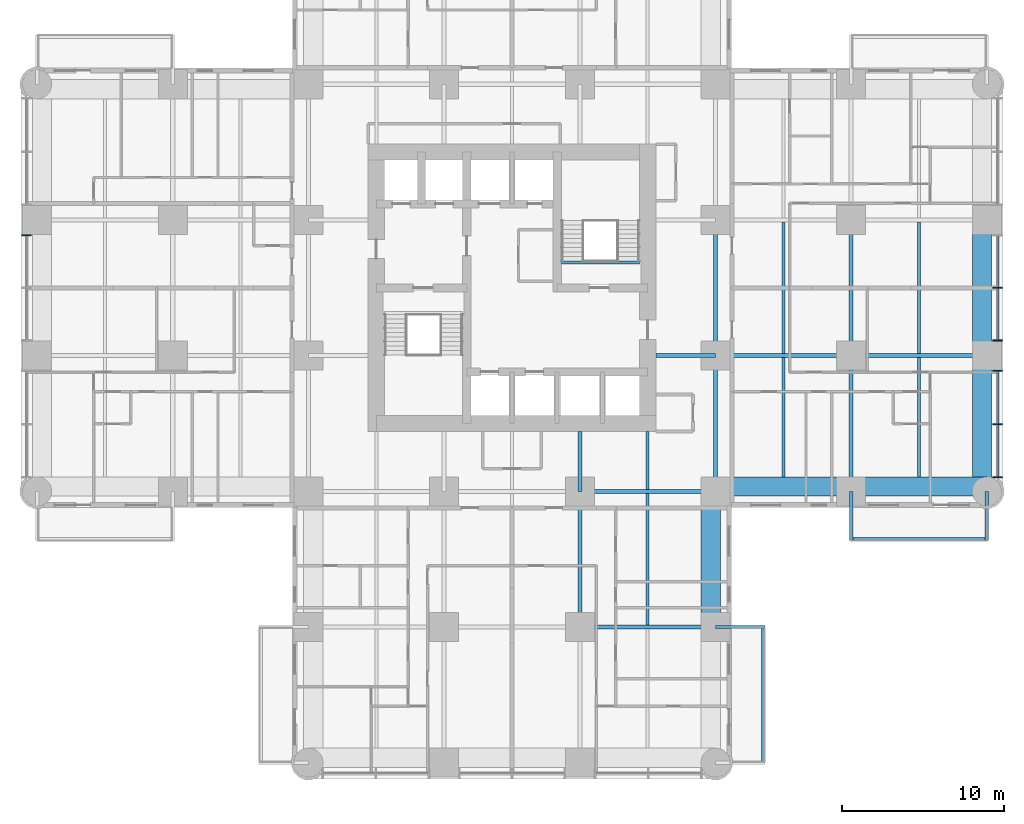
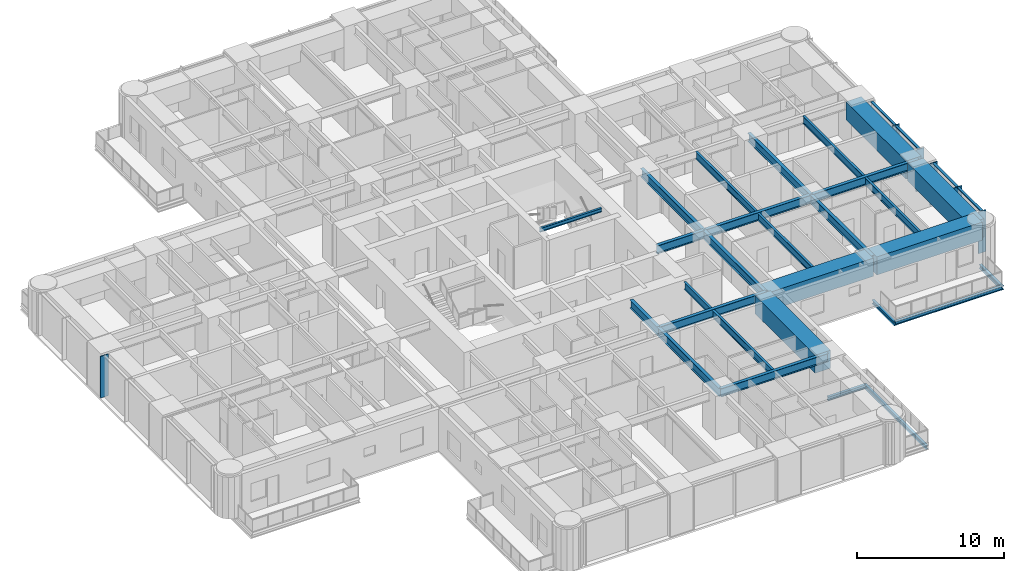
# One storey, part 3 of 17: 28 beams, 10 members, 2 elements without a shape of their own.
"""IFC4 building model written with IfcOpenShell, lengths in metres."""

from ifc_helpers import new_model, si_unit, direction, frame, origin, origin_2d, place, context, subcontext, project, spatial, rectangle, i_section, extrude, material, material_profile, profile_set, type_object, element, aggregate, save


model = new_model("IFC4")

# Units and contexts
model_context = context("Model", 3, precision=1e-05, world=origin(), true_north=direction((0.0, 1.0)))
body_context = subcontext(model_context, "Body", "Model", "MODEL_VIEW")
ifc_project = project(units=[si_unit("LENGTHUNIT", "METRE"), si_unit("AREAUNIT", "SQUARE_METRE"), si_unit("VOLUMEUNIT", "CUBIC_METRE"), si_unit("PLANEANGLEUNIT", "RADIAN"), si_unit("MASSUNIT", "GRAM", prefix="KILO")], contexts=[model_context])

# Site, building, storey
site_placement = place(None, origin())
site = spatial("IfcSite", under=ifc_project, at=site_placement, CompositionType="ELEMENT")
building_placement = place(site_placement, origin())
building = spatial("IfcBuilding", under=site, at=building_placement, Name="Torre Alcanfor", CompositionType="ELEMENT")
storey_placement = place(building_placement, frame((0.0, 0.0, 41.699951171875)))
storey = spatial("IfcBuildingStorey", under=building, at=storey_placement, Name="L09", CompositionType="ELEMENT", Elevation=41.699951171875)

# Beams
ifc_material_1 = material(Name="Steel ASTM A992 Grade 50", Category="steel")
ifc_material_profile_1 = material_profile(ifc_material_1, i_section(OverallWidth=0.205322265625, OverallDepth=0.309814453125, WebThickness=0.00927734375, FlangeThickness=0.016357421875, at=origin_2d()), Name="W12x50")
ifc_profile_set_1 = profile_set([ifc_material_profile_1], Name="Steel ASTM A992 Grade 50")
beam_type_1 = type_object("IfcBeamType", Name="Balcony cantilever beam W12x50", PredefinedType="BEAM", material=ifc_profile_set_1)
for number, where, z_axis, x_axis, name in (
    (1, (50.39990234375, 16.800048828125, -0.35498046875), (0.0, -1.0, 0.0), (1.0, 0.0, 0.0), "Balcony cantilever beam L09-E2 1"),
    (2, (58.800048828125, 16.800048828125, -0.35498046875), (0.0, -1.0, 0.0), (1.0, 0.0, 0.0), "Balcony cantilever beam L09-E2 2"),
    (3, (42.0, 8.39990234375, -0.35498046875), (1.0, 0.0, 0.0), (0.0, 1.0, 0.0), "Balcony cantilever beam L09-S1 1"),
):
    element("IfcBeam", number, at=place(storey_placement, frame(where, z_axis=z_axis, x_axis=x_axis)), inside=storey, type_object=beam_type_1, Name=name, PredefinedType="BEAM", context=body_context, shape_type="SweptSolid", body=[
        extrude(i_section(OverallWidth=0.205322265625, OverallDepth=0.309814453125, WebThickness=0.00927734375, FlangeThickness=0.016357421875, at=origin_2d()), origin(), (0.0, 0.0, 1.0), 3.050048828125),
    ])
ifc_material_2 = material(Name="Steel ASTM A992 Grade 50", Category="steel")
ifc_material_profile_2 = material_profile(ifc_material_2, i_section(OverallWidth=0.203369140625, OverallDepth=0.30224609375, WebThickness=0.007568359375, FlangeThickness=0.01318359375, at=origin_2d()), Name="W12x40")
ifc_profile_set_2 = profile_set([ifc_material_profile_2], Name="Steel ASTM A992 Grade 50")
beam_type_2 = type_object("IfcBeamType", Name="Balcony edge trimmer W12x40", PredefinedType="BEAM", material=ifc_profile_set_2)
beam_1_placement = place(storey_placement, frame((50.39990234375, 13.851806640625, -0.35107421875), z_axis=(1.0, 0.0, 0.0), x_axis=(0.0, 1.0, 0.0)))
element("IfcBeam", 4, at=beam_1_placement, inside=storey, type_object=beam_type_2, Name="Balcony edge trimmer L09-E2", PredefinedType="BEAM", context=body_context, shape_type="SweptSolid", body=[
    extrude(i_section(OverallWidth=0.203369140625, OverallDepth=0.30224609375, WebThickness=0.007568359375, FlangeThickness=0.01318359375, at=origin_2d()), origin(), (0.0, 0.0, 1.0), 8.400146484375),
])
beam_2_placement = place(storey_placement, frame((44.9482421875, 8.39990234375, -0.35107421875), z_axis=(0.0, -1.0, 0.0), x_axis=(1.0, 0.0, 0.0)))
element("IfcBeam", 5, at=beam_2_placement, inside=storey, type_object=beam_type_2, Name="Balcony edge trimmer L09-S1", PredefinedType="BEAM", context=body_context, shape_type="SweptSolid", body=[
    extrude(i_section(OverallWidth=0.203369140625, OverallDepth=0.30224609375, WebThickness=0.007568359375, FlangeThickness=0.01318359375, at=origin_2d()), origin(), (0.0, 0.0, 1.0), 8.39990234375),
])

# Curtain wall, member
ifc_material_3 = material(Name="Aluminium and glass", Category="aluminium")
curtain_wall_type = type_object("IfcCurtainWallType", Name="CW-A unitised apartment glazing with vertical FIN", PredefinedType="NOTDEFINED", material=ifc_material_3)
curtain_wall_1_placement = place(storey_placement, origin())
curtain_wall_1 = element("IfcCurtainWall", 6, at=curtain_wall_1_placement, inside=storey, type_object=curtain_wall_type, Name="Curtain wall CW-A L09 2", PredefinedType="NOTDEFINED")
ifc_material_4 = material(Name="Bronze anodised aluminium", Category="aluminium")
ifc_material_profile_3 = material_profile(ifc_material_4, rectangle(XDim=0.60009765625, YDim=0.06494140625, at=origin_2d()), Name="CW-A mullion 65x600")
ifc_profile_set_3 = profile_set([ifc_material_profile_3], Name="Bronze anodised aluminium")
member_type_1 = type_object("IfcMemberType", Name="CW-A mullion with vertical FIN 65x600", PredefinedType="MULLION", material=ifc_profile_set_3)
member_1_placement = place(storey_placement, frame((-0.64990234375, 32.66259765625, 0.0), z_axis=(0.0, 0.0, 1.0), x_axis=(1.0, 0.0, 0.0)))
member_1 = element("IfcMember", 7, at=member_1_placement, type_object=member_type_1, Name="CW-A mullion 2.1", PredefinedType="MULLION", context=body_context, shape_type="SweptSolid", body=[
    extrude(rectangle(XDim=0.60009765625, YDim=0.06494140625, at=origin_2d()), origin(), (0.0, 0.0, 1.0), 3.449951171875),
])
aggregate(curtain_wall_1, [member_1])

# Curtain wall, members
curtain_wall_2_placement = place(storey_placement, origin())
curtain_wall_2 = element("IfcCurtainWall", 8, at=curtain_wall_2_placement, inside=storey, type_object=curtain_wall_type, Name="Curtain wall CW-A L09 8", PredefinedType="NOTDEFINED")
member_2_placement = place(storey_placement, frame((59.449951171875, 17.6669921875, 0.0), z_axis=(0.0, 0.0, 1.0), x_axis=(-1.0, 0.0, 0.0)))
member_2 = element("IfcMember", 9, at=member_2_placement, type_object=member_type_1, Name="CW-A mullion 1.1", PredefinedType="MULLION", context=body_context, shape_type="SweptSolid", body=[
    extrude(rectangle(XDim=0.60009765625, YDim=0.06494140625, at=origin_2d()), origin(), (0.0, 0.0, 1.0), 3.449951171875),
])
member_3_placement = place(storey_placement, frame((59.449951171875, 20.96484375, 0.0), z_axis=(0.0, 0.0, 1.0), x_axis=(-1.0, 0.0, 0.0)))
member_3 = element("IfcMember", 10, at=member_3_placement, type_object=member_type_1, Name="CW-A mullion 1.2", PredefinedType="MULLION", context=body_context, shape_type="SweptSolid", body=[
    extrude(rectangle(XDim=0.60009765625, YDim=0.06494140625, at=origin_2d()), origin(), (0.0, 0.0, 1.0), 3.449951171875),
])
member_4_placement = place(storey_placement, frame((59.449951171875, 24.262451171875, 0.0), z_axis=(0.0, 0.0, 1.0), x_axis=(-1.0, 0.0, 0.0)))
member_4 = element("IfcMember", 11, at=member_4_placement, type_object=member_type_1, Name="CW-A mullion 1.3", PredefinedType="MULLION", context=body_context, shape_type="SweptSolid", body=[
    extrude(rectangle(XDim=0.60009765625, YDim=0.06494140625, at=origin_2d()), origin(), (0.0, 0.0, 1.0), 3.449951171875),
])
member_5_placement = place(storey_placement, frame((59.449951171875, 26.137451171875, 0.0), z_axis=(0.0, 0.0, 1.0), x_axis=(-1.0, 0.0, 0.0)))
member_5 = element("IfcMember", 12, at=member_5_placement, type_object=member_type_1, Name="CW-A mullion 2.1", PredefinedType="MULLION", context=body_context, shape_type="SweptSolid", body=[
    extrude(rectangle(XDim=0.60009765625, YDim=0.06494140625, at=origin_2d()), origin(), (0.0, 0.0, 1.0), 3.449951171875),
])
member_6_placement = place(storey_placement, frame((59.449951171875, 29.39990234375, 0.0), z_axis=(0.0, 0.0, 1.0), x_axis=(-1.0, 0.0, 0.0)))
member_6 = element("IfcMember", 13, at=member_6_placement, type_object=member_type_1, Name="CW-A mullion 2.2", PredefinedType="MULLION", context=body_context, shape_type="SweptSolid", body=[
    extrude(rectangle(XDim=0.60009765625, YDim=0.06494140625, at=origin_2d()), origin(), (0.0, 0.0, 1.0), 3.449951171875),
])
ifc_material_5 = material(Name="Extruded aluminium", Category="aluminium")
ifc_material_profile_4 = material_profile(ifc_material_5, rectangle(XDim=0.199951171875, YDim=0.06494140625, at=origin_2d()), Name="CW-A transom 200x65")
ifc_profile_set_4 = profile_set([ifc_material_profile_4], Name="Extruded aluminium")
member_type_2 = type_object("IfcMemberType", Name="CW-A transom 65x200", PredefinedType="USERDEFINED", material=ifc_profile_set_4)
member_7_placement = place(storey_placement, frame((59.449951171875, 17.699462890625, 3.41748046875), z_axis=(0.0, 1.0, 0.0), x_axis=(-1.0, 0.0, 0.0)))
member_7 = element("IfcMember", 14, at=member_7_placement, type_object=member_type_2, Name="CW-A transom 1.1.2", ObjectType="TRANSOM", PredefinedType="USERDEFINED", context=body_context, shape_type="SweptSolid", body=[
    extrude(rectangle(XDim=0.199951171875, YDim=0.06494140625, at=origin_2d()), origin(), (0.0, 0.0, 1.0), 3.232666015625),
])
member_8_placement = place(storey_placement, frame((59.449951171875, 20.997314453125, 3.41748046875), z_axis=(0.0, 1.0, 0.0), x_axis=(-1.0, 0.0, 0.0)))
member_8 = element("IfcMember", 15, at=member_8_placement, type_object=member_type_2, Name="CW-A transom 1.2.2", ObjectType="TRANSOM", PredefinedType="USERDEFINED", context=body_context, shape_type="SweptSolid", body=[
    extrude(rectangle(XDim=0.199951171875, YDim=0.06494140625, at=origin_2d()), origin(), (0.0, 0.0, 1.0), 3.232666015625),
])
member_9_placement = place(storey_placement, frame((59.449951171875, 26.169921875, 3.41748046875), z_axis=(0.0, 1.0, 0.0), x_axis=(-1.0, 0.0, 0.0)))
member_9 = element("IfcMember", 16, at=member_9_placement, type_object=member_type_2, Name="CW-A transom 2.1.2", ObjectType="TRANSOM", PredefinedType="USERDEFINED", context=body_context, shape_type="SweptSolid", body=[
    extrude(rectangle(XDim=0.199951171875, YDim=0.06494140625, at=origin_2d()), origin(), (0.0, 0.0, 1.0), 3.197509765625),
])
member_10_placement = place(storey_placement, frame((59.449951171875, 29.4326171875, 3.41748046875), z_axis=(0.0, 1.0, 0.0), x_axis=(-1.0, 0.0, 0.0)))
member_10 = element("IfcMember", 17, at=member_10_placement, type_object=member_type_2, Name="CW-A transom 2.2.2", ObjectType="TRANSOM", PredefinedType="USERDEFINED", context=body_context, shape_type="SweptSolid", body=[
    extrude(rectangle(XDim=0.199951171875, YDim=0.06494140625, at=origin_2d()), origin(), (0.0, 0.0, 1.0), 3.197265625),
])
aggregate(curtain_wall_2, [member_2, member_3, member_4, member_7, member_8, member_5, member_6, member_9, member_10])

# Beams
ifc_material_6 = material(Name="Steel ASTM A992 Grade 50", Category="steel")
ifc_material_profile_5 = material_profile(ifc_material_6, i_section(OverallWidth=0.25390625, OverallDepth=0.683349609375, WebThickness=0.012451171875, FlangeThickness=0.01904296875, at=origin_2d()), Name="W27x94")
ifc_profile_set_5 = profile_set([ifc_material_profile_5], Name="Steel ASTM A992 Grade 50")
beam_type_3 = type_object("IfcBeamType", Name="Girder W27x94", PredefinedType="BEAM", material=ifc_profile_set_5)
for number, where, z_axis, x_axis, name in (
    (18, (33.60009765625, 8.39990234375, 3.1083984375), (1.0, 0.0, 0.0), (0.0, 1.0, 0.0), "Beam 5D-6D under L10"),
    (19, (33.60009765625, 16.800048828125, 3.1083984375), (1.0, 0.0, 0.0), (0.0, 1.0, 0.0), "Beam 5E-6E under L10"),
    (20, (42.0, 25.199951171875, 3.1083984375), (1.0, 0.0, 0.0), (0.0, 1.0, 0.0), "Beam 6F-7F under L10"),
):
    element("IfcBeam", number, at=place(storey_placement, frame(where, z_axis=z_axis, x_axis=x_axis)), inside=storey, type_object=beam_type_3, Name=name, PredefinedType="BEAM", context=body_context, shape_type="SweptSolid", body=[
        extrude(i_section(OverallWidth=0.25390625, OverallDepth=0.683349609375, WebThickness=0.012451171875, FlangeThickness=0.01904296875, at=origin_2d()), origin(), (0.0, 0.0, 1.0), 8.39990234375),
    ])
for number, where, z_axis, x_axis, name in (
    (21, (50.39990234375, 25.199951171875, 3.1083984375), (1.0, 0.0, 0.0), (0.0, 1.0, 0.0), "Beam 7F-8F under L10"),
    (22, (33.60009765625, 8.39990234375, 3.1083984375), (0.0, 1.0, 0.0), (-1.0, 0.0, 0.0), "Beam 5D-5E under L10"),
):
    element("IfcBeam", number, at=place(storey_placement, frame(where, z_axis=z_axis, x_axis=x_axis)), inside=storey, type_object=beam_type_3, Name=name, PredefinedType="BEAM", context=body_context, shape_type="SweptSolid", body=[
        extrude(i_section(OverallWidth=0.25390625, OverallDepth=0.683349609375, WebThickness=0.012451171875, FlangeThickness=0.01904296875, at=origin_2d()), origin(), (0.0, 0.0, 1.0), 8.400146484375),
    ])
beam_3_placement = place(storey_placement, frame((42.0, 16.800048828125, 3.1083984375), z_axis=(0.0, 1.0, 0.0), x_axis=(-1.0, 0.0, 0.0)))
element("IfcBeam", 23, at=beam_3_placement, inside=storey, type_object=beam_type_3, Name="Beam 6E-6F under L10", PredefinedType="BEAM", context=body_context, shape_type="SweptSolid", body=[
    extrude(i_section(OverallWidth=0.25390625, OverallDepth=0.683349609375, WebThickness=0.012451171875, FlangeThickness=0.01904296875, at=origin_2d()), origin(), (0.0, 0.0, 1.0), 8.39990234375),
])
beam_4_placement = place(storey_placement, frame((42.0, 25.199951171875, 3.1083984375), z_axis=(0.0, 1.0, 0.0), x_axis=(-1.0, 0.0, 0.0)))
element("IfcBeam", 24, at=beam_4_placement, inside=storey, type_object=beam_type_3, Name="Beam 6F-6G under L10", PredefinedType="BEAM", context=body_context, shape_type="SweptSolid", body=[
    extrude(i_section(OverallWidth=0.25390625, OverallDepth=0.683349609375, WebThickness=0.012451171875, FlangeThickness=0.01904296875, at=origin_2d()), origin(), (0.0, 0.0, 1.0), 8.400146484375),
])
beam_5_placement = place(storey_placement, frame((50.39990234375, 16.800048828125, 3.1083984375), z_axis=(0.0, 1.0, 0.0), x_axis=(-1.0, 0.0, 0.0)))
element("IfcBeam", 25, at=beam_5_placement, inside=storey, type_object=beam_type_3, Name="Beam 7E-7F under L10", PredefinedType="BEAM", context=body_context, shape_type="SweptSolid", body=[
    extrude(i_section(OverallWidth=0.25390625, OverallDepth=0.683349609375, WebThickness=0.012451171875, FlangeThickness=0.01904296875, at=origin_2d()), origin(), (0.0, 0.0, 1.0), 8.39990234375),
])
beam_6_placement = place(storey_placement, frame((50.39990234375, 25.199951171875, 3.1083984375), z_axis=(0.0, 1.0, 0.0), x_axis=(-1.0, 0.0, 0.0)))
element("IfcBeam", 26, at=beam_6_placement, inside=storey, type_object=beam_type_3, Name="Beam 7F-7G under L10", PredefinedType="BEAM", context=body_context, shape_type="SweptSolid", body=[
    extrude(i_section(OverallWidth=0.25390625, OverallDepth=0.683349609375, WebThickness=0.012451171875, FlangeThickness=0.01904296875, at=origin_2d()), origin(), (0.0, 0.0, 1.0), 8.400146484375),
])
ifc_material_7 = material(Name="Steel ASTM A992 Grade 50", Category="steel")
ifc_material_profile_6 = material_profile(ifc_material_7, i_section(OverallWidth=0.25390625, OverallDepth=0.683349609375, WebThickness=0.012451171875, FlangeThickness=0.01904296875, at=origin_2d()), Name="W27x94")
ifc_profile_set_6 = profile_set([ifc_material_profile_6], Name="Steel ASTM A992 Grade 50")
beam_type_4 = type_object("IfcBeamType", Name="Girder, part bay W27x94", PredefinedType="BEAM", material=ifc_profile_set_6)
for number, where, z_axis, x_axis, name in (
    (27, (33.60009765625, 16.800048828125, 3.1083984375), (0.0, 1.0, 0.0), (-1.0, 0.0, 0.0), "Beam 5E-520_5 under L10"),
    (28, (42.0, 25.199951171875, 3.1083984375), (-1.0, 0.0, 0.0), (0.0, -1.0, 0.0), "Beam 6F-38_3F under L10"),
):
    element("IfcBeam", number, at=place(storey_placement, frame(where, z_axis=z_axis, x_axis=x_axis)), inside=storey, type_object=beam_type_4, Name=name, PredefinedType="BEAM", context=body_context, shape_type="SweptSolid", body=[
        extrude(i_section(OverallWidth=0.25390625, OverallDepth=0.683349609375, WebThickness=0.012451171875, FlangeThickness=0.01904296875, at=origin_2d()), origin(), (0.0, 0.0, 1.0), 3.699951171875),
    ])
ifc_material_8 = material(Name="Concrete f'c 70 MPa", Category="concrete")
ifc_material_profile_7 = material_profile(ifc_material_8, rectangle(XDim=1.199951171875, YDim=1.5, at=origin_2d()), Name="1200x1500")
ifc_profile_set_7 = profile_set([ifc_material_profile_7], Name="Concrete f'c 70 MPa")
beam_type_5 = type_object("IfcBeamType", Name="RC perimeter beam 1200x1500", PredefinedType="BEAM", material=ifc_profile_set_7)
beam_7_placement = place(storey_placement, frame((42.126953125, 17.10009765625, 2.699951171875), z_axis=(1.0, 0.0, 0.0), x_axis=(0.0, 1.0, 0.0)))
element("IfcBeam", 29, at=beam_7_placement, inside=storey, type_object=beam_type_5, Name="Beam 6E-7E under L10", PredefinedType="BEAM", context=body_context, shape_type="SweptSolid", body=[
    extrude(rectangle(XDim=1.199951171875, YDim=1.5, at=origin_2d()), origin(), (0.0, 0.0, 1.0), 8.14599609375),
])
beam_8_placement = place(storey_placement, frame((50.527099609375, 17.10009765625, 2.699951171875), z_axis=(1.0, 0.0, 0.0), x_axis=(0.0, 1.0, 0.0)))
element("IfcBeam", 30, at=beam_8_placement, inside=storey, type_object=beam_type_5, Name="Beam 7E-8E under L10", PredefinedType="BEAM", context=body_context, shape_type="SweptSolid", body=[
    extrude(rectangle(XDim=1.199951171875, YDim=1.5, at=origin_2d()), origin(), (0.0, 0.0, 1.0), 8.27294921875),
])
beam_9_placement = place(storey_placement, frame((41.699951171875, 8.527099609375, 2.699951171875), z_axis=(0.0, 1.0, 0.0), x_axis=(-1.0, 0.0, 0.0)))
element("IfcBeam", 31, at=beam_9_placement, inside=storey, type_object=beam_type_5, Name="Beam 6D-6E under L10", PredefinedType="BEAM", context=body_context, shape_type="SweptSolid", body=[
    extrude(rectangle(XDim=1.199951171875, YDim=1.5, at=origin_2d()), origin(), (0.0, 0.0, 1.0), 8.14599609375),
])
beam_10_placement = place(storey_placement, frame((58.5, 16.800048828125, 2.699951171875), z_axis=(0.0, 1.0, 0.0), x_axis=(-1.0, 0.0, 0.0)))
element("IfcBeam", 32, at=beam_10_placement, inside=storey, type_object=beam_type_5, Name="Beam 8E-8F under L10", PredefinedType="BEAM", context=body_context, shape_type="SweptSolid", body=[
    extrude(rectangle(XDim=1.199951171875, YDim=1.5, at=origin_2d()), origin(), (0.0, 0.0, 1.0), 8.27294921875),
])
beam_11_placement = place(storey_placement, frame((58.5, 25.326904296875, 2.699951171875), z_axis=(0.0, 1.0, 0.0), x_axis=(-1.0, 0.0, 0.0)))
element("IfcBeam", 33, at=beam_11_placement, inside=storey, type_object=beam_type_5, Name="Beam 8F-8G under L10", PredefinedType="BEAM", context=body_context, shape_type="SweptSolid", body=[
    extrude(rectangle(XDim=1.199951171875, YDim=1.5, at=origin_2d()), origin(), (0.0, 0.0, 1.0), 8.14599609375),
])
ifc_material_9 = material(Name="Steel ASTM A992 Grade 50", Category="steel")
ifc_material_profile_8 = material_profile(ifc_material_9, i_section(OverallWidth=0.1787109375, OverallDepth=0.60205078125, WebThickness=0.010986328125, FlangeThickness=0.014892578125, at=origin_2d()), Name="W24x62")
ifc_profile_set_8 = profile_set([ifc_material_profile_8], Name="Steel ASTM A992 Grade 50")
beam_type_6 = type_object("IfcBeamType", Name="Secondary beam W24x62", PredefinedType="BEAM", material=ifc_profile_set_8)
beam_12_placement = place(storey_placement, frame((37.800048828125, 8.527099609375, 3.149169921875), z_axis=(0.0, 1.0, 0.0), x_axis=(-1.0, 0.0, 0.0)))
element("IfcBeam", 34, at=beam_12_placement, inside=storey, type_object=beam_type_6, Name="Beam 37_8D-37_8E under L10", PredefinedType="BEAM", context=body_context, shape_type="SweptSolid", body=[
    extrude(i_section(OverallWidth=0.1787109375, OverallDepth=0.60205078125, WebThickness=0.010986328125, FlangeThickness=0.014892578125, at=origin_2d()), origin(), (0.0, 0.0, 1.0), 8.14599609375),
])
beam_13_placement = place(storey_placement, frame((46.199951171875, 17.699951171875, 3.149169921875), z_axis=(0.0, 1.0, 0.0), x_axis=(-1.0, 0.0, 0.0)))
element("IfcBeam", 35, at=beam_13_placement, inside=storey, type_object=beam_type_6, Name="Beam 46_2E-46_2F under L10", PredefinedType="BEAM", context=body_context, shape_type="SweptSolid", body=[
    extrude(i_section(OverallWidth=0.1787109375, OverallDepth=0.60205078125, WebThickness=0.010986328125, FlangeThickness=0.014892578125, at=origin_2d()), origin(), (0.0, 0.0, 1.0), 7.373046875),
])
beam_14_placement = place(storey_placement, frame((46.199951171875, 25.326904296875, 3.149169921875), z_axis=(0.0, 1.0, 0.0), x_axis=(-1.0, 0.0, 0.0)))
element("IfcBeam", 36, at=beam_14_placement, inside=storey, type_object=beam_type_6, Name="Beam 46_2F-46_2G under L10", PredefinedType="BEAM", context=body_context, shape_type="SweptSolid", body=[
    extrude(i_section(OverallWidth=0.1787109375, OverallDepth=0.60205078125, WebThickness=0.010986328125, FlangeThickness=0.014892578125, at=origin_2d()), origin(), (0.0, 0.0, 1.0), 8.14599609375),
])
beam_15_placement = place(storey_placement, frame((54.60009765625, 17.699951171875, 3.149169921875), z_axis=(0.0, 1.0, 0.0), x_axis=(-1.0, 0.0, 0.0)))
element("IfcBeam", 37, at=beam_15_placement, inside=storey, type_object=beam_type_6, Name="Beam 54_6E-54_6F under L10", PredefinedType="BEAM", context=body_context, shape_type="SweptSolid", body=[
    extrude(i_section(OverallWidth=0.1787109375, OverallDepth=0.60205078125, WebThickness=0.010986328125, FlangeThickness=0.014892578125, at=origin_2d()), origin(), (0.0, 0.0, 1.0), 7.373046875),
])
beam_16_placement = place(storey_placement, frame((54.60009765625, 25.326904296875, 3.149169921875), z_axis=(0.0, 1.0, 0.0), x_axis=(-1.0, 0.0, 0.0)))
element("IfcBeam", 38, at=beam_16_placement, inside=storey, type_object=beam_type_6, Name="Beam 54_6F-54_6G under L10", PredefinedType="BEAM", context=body_context, shape_type="SweptSolid", body=[
    extrude(i_section(OverallWidth=0.1787109375, OverallDepth=0.60205078125, WebThickness=0.010986328125, FlangeThickness=0.014892578125, at=origin_2d()), origin(), (0.0, 0.0, 1.0), 8.14599609375),
])
ifc_material_10 = material(Name="Steel ASTM A992 Grade 50", Category="steel")
ifc_material_profile_9 = material_profile(ifc_material_10, i_section(OverallWidth=0.1787109375, OverallDepth=0.60205078125, WebThickness=0.010986328125, FlangeThickness=0.014892578125, at=origin_2d()), Name="W24x62")
ifc_profile_set_9 = profile_set([ifc_material_profile_9], Name="Steel ASTM A992 Grade 50")
beam_type_7 = type_object("IfcBeamType", Name="Secondary beam, part bay W24x62", PredefinedType="BEAM", material=ifc_profile_set_9)
beam_17_placement = place(storey_placement, frame((37.800048828125, 16.927001953125, 3.149169921875), z_axis=(0.0, 1.0, 0.0), x_axis=(-1.0, 0.0, 0.0)))
element("IfcBeam", 39, at=beam_17_placement, inside=storey, type_object=beam_type_7, Name="Beam 37_8E-37_820_5 under L10", PredefinedType="BEAM", context=body_context, shape_type="SweptSolid", body=[
    extrude(i_section(OverallWidth=0.1787109375, OverallDepth=0.60205078125, WebThickness=0.010986328125, FlangeThickness=0.014892578125, at=origin_2d()), origin(), (0.0, 0.0, 1.0), 3.572998046875),
])
ifc_material_11 = material(Name="Steel ASTM A992 Grade 50", Category="steel")
ifc_material_profile_10 = material_profile(ifc_material_11, i_section(OverallWidth=0.164794921875, OverallDepth=0.309814453125, WebThickness=0.005859375, FlangeThickness=0.009765625, at=origin_2d()), Name="W12x26")
ifc_profile_set_10 = profile_set([ifc_material_profile_10], Name="Steel ASTM A992 Grade 50")
beam_type_8 = type_object("IfcBeamType", Name="Stair landing beam W12x26", PredefinedType="BEAM", material=ifc_profile_set_10)
beam_18_placement = place(storey_placement, frame((32.449951171875, 30.962646484375, 3.2451171875), z_axis=(1.0, 0.0, 0.0), x_axis=(0.0, 1.0, 0.0)))
element("IfcBeam", 40, at=beam_18_placement, inside=storey, type_object=beam_type_8, Name="Landing trimmer S2 L10", PredefinedType="BEAM", context=body_context, shape_type="SweptSolid", body=[
    extrude(i_section(OverallWidth=0.164794921875, OverallDepth=0.309814453125, WebThickness=0.005859375, FlangeThickness=0.009765625, at=origin_2d()), origin(), (0.0, 0.0, 1.0), 4.85009765625),
])

save(model, "model.ifc")
